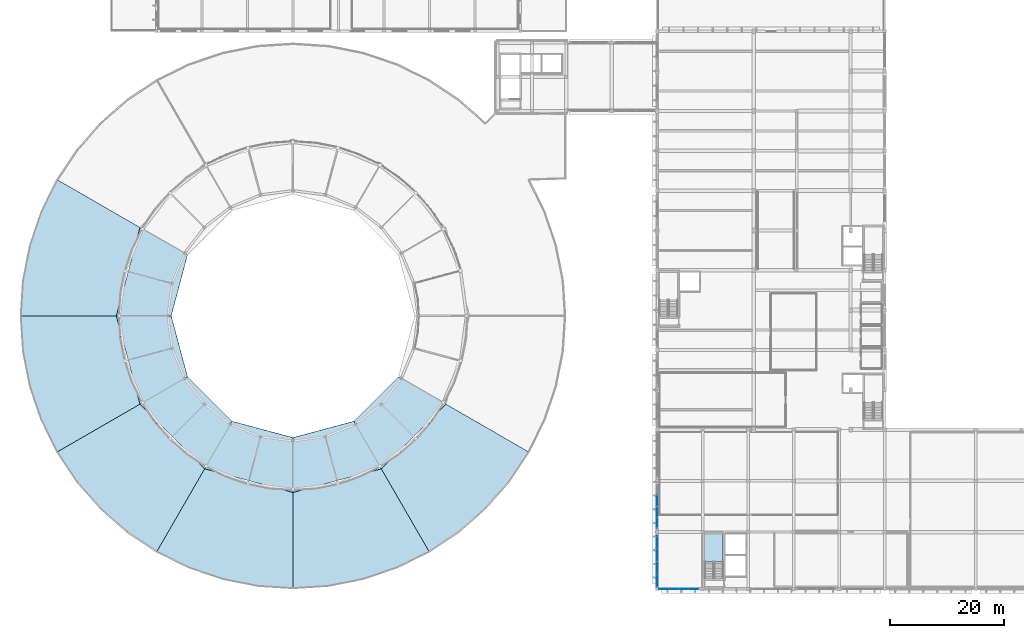
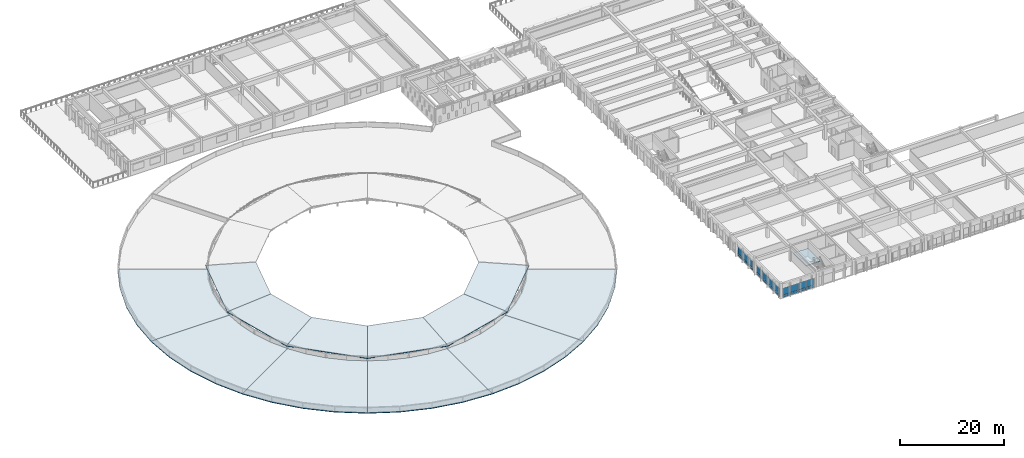
# One storey, part 45 of 77: 22 plates, 13 slabs, 8 elements without a shape of their own.
"""IFC4 building model written with IfcOpenShell, lengths in metres."""

from ifc_helpers import new_model, si_unit, direction, frame, origin, origin_2d, place, context, subcontext, project, spatial, polyline, rectangle, outline, extrude, material, layer, layer_set, type_object, element, aggregate, save


model = new_model("IFC4")

# Units and contexts
model_context = context("Model", 3, precision=1e-05, world=origin(), true_north=direction((0.0, 1.0)))
body_context = subcontext(model_context, "Body", "Model", "MODEL_VIEW")
ifc_project = project(units=[si_unit("LENGTHUNIT", "METRE"), si_unit("AREAUNIT", "SQUARE_METRE"), si_unit("VOLUMEUNIT", "CUBIC_METRE"), si_unit("PLANEANGLEUNIT", "RADIAN"), si_unit("MASSUNIT", "GRAM", prefix="KILO")], contexts=[model_context])

# Site, building, storey
site_placement = place(None, origin())
site = spatial("IfcSite", under=ifc_project, at=site_placement, CompositionType="ELEMENT")
building_placement = place(site_placement, origin())
building = spatial("IfcBuilding", under=site, at=building_placement, Name="Larkveld Mobility Hub", CompositionType="ELEMENT")
storey_placement = place(building_placement, frame((0.0, 0.0, 12.0)))
storey = spatial("IfcBuildingStorey", under=building, at=storey_placement, Name="L03", CompositionType="ELEMENT", Elevation=12.0)

# Curtain wall, plates
ifc_material_1 = material(Name="Anodised aluminium 6063-T6", Category="aluminium")
curtain_wall_type_1 = type_object("IfcCurtainWallType", Name="CW-SYS-04", PredefinedType="NOTDEFINED", material=ifc_material_1)
curtain_wall_1_placement = place(storey_placement, origin())
curtain_wall_1 = element("IfcCurtainWall", 1, at=curtain_wall_1_placement, inside=storey, type_object=curtain_wall_type_1, Name="Public Passage East Service Facade L03 CW-124", PredefinedType="NOTDEFINED")
ifc_material_2 = material(Name="Low-E laminated solar-control double glazing", Category="glass")
ifc_layer_1 = layer(ifc_material_2, 0.028076171875, Name="Low-E laminated solar-control double glazing", Category="glass")
ifc_layer_set_1 = layer_set([ifc_layer_1], Name="Low-E laminated solar-control double glazing")
plate_type_1 = type_object("IfcPlateType", Name="CW-PNL-GL01", PredefinedType="CURTAIN_PANEL", material=ifc_layer_set_1)
plate_1_placement = place(storey_placement, frame((112.0, 8.157958984375, 0.552001953125), z_axis=(0.0, 0.0, 1.0), x_axis=(0.0, -1.0, 0.0)))
plate_1 = element("IfcPlate", 2, at=plate_1_placement, type_object=plate_type_1, Name="CW04 panel 1", PredefinedType="CURTAIN_PANEL", context=body_context, shape_type="SweptSolid", body=[
    extrude(rectangle(XDim=2.2041015625, YDim=0.028076171875, at=origin_2d()), origin(), (0.0, 0.0, 1.0), 1.6259765625),
])
plate_2_placement = place(storey_placement, frame((112.0, 5.93408203125, 0.552001953125), z_axis=(0.0, 0.0, 1.0), x_axis=(0.0, -1.0, 0.0)))
plate_2 = element("IfcPlate", 3, at=plate_2_placement, type_object=plate_type_1, Name="CW04 panel 2", PredefinedType="CURTAIN_PANEL", context=body_context, shape_type="SweptSolid", body=[
    extrude(rectangle(XDim=2.22412109375, YDim=0.028076171875, at=origin_2d()), origin(), (0.0, 0.0, 1.0), 1.6259765625),
])
plate_3_placement = place(storey_placement, frame((112.0, 3.700927734375, 0.552001953125), z_axis=(0.0, 0.0, 1.0), x_axis=(0.0, -1.0, 0.0)))
plate_3 = element("IfcPlate", 4, at=plate_3_placement, type_object=plate_type_1, Name="CW04 panel 3", PredefinedType="CURTAIN_PANEL", context=body_context, shape_type="SweptSolid", body=[
    extrude(rectangle(XDim=2.22412109375, YDim=0.028076171875, at=origin_2d()), origin(), (0.0, 0.0, 1.0), 1.6259765625),
])
plate_4_placement = place(storey_placement, frame((112.0, 1.47705078125, 0.552001953125), z_axis=(0.0, 0.0, 1.0), x_axis=(0.0, -1.0, 0.0)))
plate_4 = element("IfcPlate", 5, at=plate_4_placement, type_object=plate_type_1, Name="CW04 panel 4", PredefinedType="CURTAIN_PANEL", context=body_context, shape_type="SweptSolid", body=[
    extrude(rectangle(XDim=2.2041015625, YDim=0.028076171875, at=origin_2d()), origin(), (0.0, 0.0, 1.0), 1.6259765625),
])

curtain_wall_type_2 = type_object("IfcCurtainWallType", Name="CW-SYS-05", PredefinedType="NOTDEFINED", material=ifc_material_1)
curtain_wall_2_placement = place(storey_placement, origin())
curtain_wall_2 = element("IfcCurtainWall", 6, at=curtain_wall_2_placement, inside=storey, type_object=curtain_wall_type_2, Name="Service Centre South Curtain Wall L03 CW-113", PredefinedType="NOTDEFINED")
ifc_material_3 = material(Name="Acoustic solar-control laminated double glazing", Category="glass")
ifc_layer_2 = layer(ifc_material_3, 0.031982421875, Name="Acoustic solar-control laminated double glazing", Category="glass")
ifc_layer_set_2 = layer_set([ifc_layer_2], Name="Acoustic solar-control laminated double glazing")
plate_type_2 = type_object("IfcPlateType", Name="CW-PNL-GL02", PredefinedType="CURTAIN_PANEL", material=ifc_layer_set_2)
plate_5_placement = place(storey_placement, frame((113.22705078125, 0.0, 0.552001953125), z_axis=(0.0, 0.0, 1.0), x_axis=(1.0, 0.0, 0.0)))
plate_5 = element("IfcPlate", 7, at=plate_5_placement, type_object=plate_type_2, Name="CW05 panel 1", PredefinedType="CURTAIN_PANEL", context=body_context, shape_type="SweptSolid", body=[
    extrude(rectangle(XDim=1.7041015625, YDim=0.031982421875, at=origin_2d()), origin(), (0.0, 0.0, 1.0), 1.6259765625),
])
plate_6_placement = place(storey_placement, frame((114.950927734375, 0.0, 0.552001953125), z_axis=(0.0, 0.0, 1.0), x_axis=(1.0, 0.0, 0.0)))
plate_6 = element("IfcPlate", 8, at=plate_6_placement, type_object=plate_type_2, Name="CW05 panel 2", PredefinedType="CURTAIN_PANEL", context=body_context, shape_type="SweptSolid", body=[
    extrude(rectangle(XDim=1.72412109375, YDim=0.031982421875, at=origin_2d()), origin(), (0.0, 0.0, 1.0), 1.6259765625),
])
plate_7_placement = place(storey_placement, frame((116.68408203125, 0.0, 0.552001953125), z_axis=(0.0, 0.0, 1.0), x_axis=(1.0, 0.0, 0.0)))
plate_7 = element("IfcPlate", 9, at=plate_7_placement, type_object=plate_type_2, Name="CW05 panel 3", PredefinedType="CURTAIN_PANEL", context=body_context, shape_type="SweptSolid", body=[
    extrude(rectangle(XDim=1.72412109375, YDim=0.031982421875, at=origin_2d()), origin(), (0.0, 0.0, 1.0), 1.6259765625),
])
plate_8_placement = place(storey_placement, frame((118.407958984375, 0.0, 0.552001953125), z_axis=(0.0, 0.0, 1.0), x_axis=(1.0, 0.0, 0.0)))
plate_8 = element("IfcPlate", 10, at=plate_8_placement, type_object=plate_type_2, Name="CW05 panel 4", PredefinedType="CURTAIN_PANEL", context=body_context, shape_type="SweptSolid", body=[
    extrude(rectangle(XDim=1.7041015625, YDim=0.031982421875, at=origin_2d()), origin(), (0.0, 0.0, 1.0), 1.6259765625),
])

curtain_wall_type_3 = type_object("IfcCurtainWallType", Name="CW-SYS-03", PredefinedType="NOTDEFINED", material=ifc_material_1)
curtain_wall_3_placement = place(storey_placement, origin())
curtain_wall_3 = element("IfcCurtainWall", 11, at=curtain_wall_3_placement, inside=storey, type_object=curtain_wall_type_3, Name="Public Passage East Service Facade L03 CW-123", PredefinedType="NOTDEFINED")
ifc_material_4 = material(Name="Tinted safety double glazing", Category="glass")
ifc_layer_3 = layer(ifc_material_4, 0.035888671875, Name="Tinted safety double glazing", Category="glass")
ifc_layer_set_3 = layer_set([ifc_layer_3], Name="Tinted safety double glazing")
plate_type_3 = type_object("IfcPlateType", Name="CW-PNL-GL03", PredefinedType="CURTAIN_PANEL", material=ifc_layer_set_3)
plate_9_placement = place(storey_placement, frame((112.0, 15.447021484375, 0.552001953125), z_axis=(0.0, 0.0, 1.0), x_axis=(0.0, -1.0, 0.0)))
plate_9 = element("IfcPlate", 12, at=plate_9_placement, type_object=plate_type_3, Name="CW03 panel 2", PredefinedType="CURTAIN_PANEL", context=body_context, shape_type="SweptSolid", body=[
    extrude(rectangle(XDim=1.883056640625, YDim=0.035888671875, at=origin_2d()), origin(), (0.0, 0.0, 1.0), 1.6259765625),
])
plate_10_placement = place(storey_placement, frame((112.0, 13.552978515625, 0.552001953125), z_axis=(0.0, 0.0, 1.0), x_axis=(0.0, -1.0, 0.0)))
plate_10 = element("IfcPlate", 13, at=plate_10_placement, type_object=plate_type_3, Name="CW03 panel 3", PredefinedType="CURTAIN_PANEL", context=body_context, shape_type="SweptSolid", body=[
    extrude(rectangle(XDim=1.883056640625, YDim=0.035888671875, at=origin_2d()), origin(), (0.0, 0.0, 1.0), 1.6259765625),
])
plate_11_placement = place(storey_placement, frame((112.0, 11.6708984375, 0.552001953125), z_axis=(0.0, 0.0, 1.0), x_axis=(0.0, -1.0, 0.0)))
plate_11 = element("IfcPlate", 14, at=plate_11_placement, type_object=plate_type_3, Name="CW03 panel 4", PredefinedType="CURTAIN_PANEL", context=body_context, shape_type="SweptSolid", body=[
    extrude(rectangle(XDim=1.863037109375, YDim=0.035888671875, at=origin_2d()), origin(), (0.0, 0.0, 1.0), 1.6259765625),
])

# Plate
ifc_material_5 = material(Name="Insulated fluoropolymer aluminium spandrel", Category="aluminium")
ifc_layer_4 = layer(ifc_material_5, 0.06494140625, Name="Insulated fluoropolymer aluminium spandrel", Category="aluminium")
ifc_layer_set_4 = layer_set([ifc_layer_4], Name="Insulated fluoropolymer aluminium spandrel")
plate_type_4 = type_object("IfcPlateType", Name="CW-PNL-SP01", PredefinedType="CURTAIN_PANEL", material=ifc_layer_set_4)
plate_12_placement = place(storey_placement, frame((113.22705078125, 0.0, 0.0), z_axis=(0.0, 0.0, 1.0), x_axis=(1.0, 0.0, 0.0)))
plate_12 = element("IfcPlate", 15, at=plate_12_placement, type_object=plate_type_4, Name="CW05 spandrel 1", PredefinedType="CURTAIN_PANEL", context=body_context, shape_type="SweptSolid", body=[
    extrude(rectangle(XDim=1.7041015625, YDim=0.06494140625, at=origin_2d()), origin(), (0.0, 0.0, 1.0), 0.5400390625),
])

plate_13_placement = place(storey_placement, frame((114.950927734375, 0.0, 0.0), z_axis=(0.0, 0.0, 1.0), x_axis=(1.0, 0.0, 0.0)))
plate_13 = element("IfcPlate", 16, at=plate_13_placement, type_object=plate_type_4, Name="CW05 spandrel 2", PredefinedType="CURTAIN_PANEL", context=body_context, shape_type="SweptSolid", body=[
    extrude(rectangle(XDim=1.72412109375, YDim=0.06494140625, at=origin_2d()), origin(), (0.0, 0.0, 1.0), 0.5400390625),
])

plate_14_placement = place(storey_placement, frame((116.68408203125, 0.0, 0.0), z_axis=(0.0, 0.0, 1.0), x_axis=(1.0, 0.0, 0.0)))
plate_14 = element("IfcPlate", 17, at=plate_14_placement, type_object=plate_type_4, Name="CW05 spandrel 3", PredefinedType="CURTAIN_PANEL", context=body_context, shape_type="SweptSolid", body=[
    extrude(rectangle(XDim=1.72412109375, YDim=0.06494140625, at=origin_2d()), origin(), (0.0, 0.0, 1.0), 0.5400390625),
])

plate_15_placement = place(storey_placement, frame((118.407958984375, 0.0, 0.0), z_axis=(0.0, 0.0, 1.0), x_axis=(1.0, 0.0, 0.0)))
plate_15 = element("IfcPlate", 18, at=plate_15_placement, type_object=plate_type_4, Name="CW05 spandrel 4", PredefinedType="CURTAIN_PANEL", context=body_context, shape_type="SweptSolid", body=[
    extrude(rectangle(XDim=1.7041015625, YDim=0.06494140625, at=origin_2d()), origin(), (0.0, 0.0, 1.0), 0.5400390625),
])

aggregate(curtain_wall_2, [plate_12, plate_5, plate_13, plate_6, plate_14, plate_7, plate_15, plate_8])

plate_16_placement = place(storey_placement, frame((112.0, 15.447021484375, 0.0), z_axis=(0.0, 0.0, 1.0), x_axis=(0.0, -1.0, 0.0)))
plate_16 = element("IfcPlate", 19, at=plate_16_placement, type_object=plate_type_4, Name="CW03 spandrel 2", PredefinedType="CURTAIN_PANEL", context=body_context, shape_type="SweptSolid", body=[
    extrude(rectangle(XDim=1.883056640625, YDim=0.06494140625, at=origin_2d()), origin(), (0.0, 0.0, 1.0), 0.5400390625),
])

plate_17_placement = place(storey_placement, frame((112.0, 13.552978515625, 0.0), z_axis=(0.0, 0.0, 1.0), x_axis=(0.0, -1.0, 0.0)))
plate_17 = element("IfcPlate", 20, at=plate_17_placement, type_object=plate_type_4, Name="CW03 spandrel 3", PredefinedType="CURTAIN_PANEL", context=body_context, shape_type="SweptSolid", body=[
    extrude(rectangle(XDim=1.883056640625, YDim=0.06494140625, at=origin_2d()), origin(), (0.0, 0.0, 1.0), 0.5400390625),
])

plate_18_placement = place(storey_placement, frame((112.0, 11.6708984375, 0.0), z_axis=(0.0, 0.0, 1.0), x_axis=(0.0, -1.0, 0.0)))
plate_18 = element("IfcPlate", 21, at=plate_18_placement, type_object=plate_type_4, Name="CW03 spandrel 4", PredefinedType="CURTAIN_PANEL", context=body_context, shape_type="SweptSolid", body=[
    extrude(rectangle(XDim=1.863037109375, YDim=0.06494140625, at=origin_2d()), origin(), (0.0, 0.0, 1.0), 0.5400390625),
])

aggregate(curtain_wall_3, [plate_16, plate_9, plate_17, plate_10, plate_18, plate_11])

ifc_material_6 = material(Name="Insulated terracotta-toned aluminium spandrel", Category="masonry")
ifc_layer_5 = layer(ifc_material_6, 0.080078125, Name="Insulated terracotta-toned aluminium spandrel", Category="masonry")
ifc_layer_set_5 = layer_set([ifc_layer_5], Name="Insulated terracotta-toned aluminium spandrel")
plate_type_5 = type_object("IfcPlateType", Name="CW-PNL-SP02", PredefinedType="CURTAIN_PANEL", material=ifc_layer_set_5)
plate_19_placement = place(storey_placement, frame((112.0, 8.157958984375, 0.0), z_axis=(0.0, 0.0, 1.0), x_axis=(0.0, -1.0, 0.0)))
plate_19 = element("IfcPlate", 22, at=plate_19_placement, type_object=plate_type_5, Name="CW04 spandrel 1", PredefinedType="CURTAIN_PANEL", context=body_context, shape_type="SweptSolid", body=[
    extrude(rectangle(XDim=2.2041015625, YDim=0.080078125, at=origin_2d()), origin(), (0.0, 0.0, 1.0), 0.5400390625),
])

plate_20_placement = place(storey_placement, frame((112.0, 5.93408203125, 0.0), z_axis=(0.0, 0.0, 1.0), x_axis=(0.0, -1.0, 0.0)))
plate_20 = element("IfcPlate", 23, at=plate_20_placement, type_object=plate_type_5, Name="CW04 spandrel 2", PredefinedType="CURTAIN_PANEL", context=body_context, shape_type="SweptSolid", body=[
    extrude(rectangle(XDim=2.22412109375, YDim=0.080078125, at=origin_2d()), origin(), (0.0, 0.0, 1.0), 0.5400390625),
])

plate_21_placement = place(storey_placement, frame((112.0, 3.700927734375, 0.0), z_axis=(0.0, 0.0, 1.0), x_axis=(0.0, -1.0, 0.0)))
plate_21 = element("IfcPlate", 24, at=plate_21_placement, type_object=plate_type_5, Name="CW04 spandrel 3", PredefinedType="CURTAIN_PANEL", context=body_context, shape_type="SweptSolid", body=[
    extrude(rectangle(XDim=2.22412109375, YDim=0.080078125, at=origin_2d()), origin(), (0.0, 0.0, 1.0), 0.5400390625),
])

plate_22_placement = place(storey_placement, frame((112.0, 1.47705078125, 0.0), z_axis=(0.0, 0.0, 1.0), x_axis=(0.0, -1.0, 0.0)))
plate_22 = element("IfcPlate", 25, at=plate_22_placement, type_object=plate_type_5, Name="CW04 spandrel 4", PredefinedType="CURTAIN_PANEL", context=body_context, shape_type="SweptSolid", body=[
    extrude(rectangle(XDim=2.2041015625, YDim=0.080078125, at=origin_2d()), origin(), (0.0, 0.0, 1.0), 0.5400390625),
])

aggregate(curtain_wall_1, [plate_19, plate_1, plate_20, plate_2, plate_21, plate_3, plate_22, plate_4])

# Stair, slab
ifc_material_7 = material(Name="Concrete C40/50", Category="concrete")
stair_type = type_object("IfcStairType", Name="ST-HT-04", PredefinedType="HALF_TURN_STAIR", material=ifc_material_7)
stair_placement = place(storey_placement, origin())
stair = element("IfcStair", 26, at=stair_placement, inside=storey, type_object=stair_type, Name="L03 Protected Escape Stair ST4", PredefinedType="HALF_TURN_STAIR")
ifc_layer_6 = layer(ifc_material_7, 0.205078125, Name="Concrete C40/50", Category="concrete")
ifc_layer_set_6 = layer_set([ifc_layer_6], Name="Concrete C40/50")
slab_type_1 = type_object("IfcSlabType", Name="SL-LND-04", PredefinedType="LANDING", material=ifc_layer_set_6)
slab_1_placement = place(storey_placement, frame((0.0, 0.0, 1.594970703125)))
slab_1 = element("IfcSlab", 27, at=slab_1_placement, type_object=slab_type_1, Name="ST4 landing 1", PredefinedType="LANDING", context=body_context, shape_type="SweptSolid", body=[
    extrude(outline(polyline([(123.60009765625, 4.75), (123.60009765625, 9.64990234375), (120.35009765625, 9.64990234375), (120.35009765625, 4.75), (123.60009765625, 4.75)])), origin(), (0.0, 0.0, 1.0), 0.205078125),
])
aggregate(stair, [slab_1])

# Roof, slab
ifc_material_8 = material(Name="Precast concrete C50/60", Category="concrete")
roof_type = type_object("IfcRoofType", Name="ROF-HIP-01", PredefinedType="HIP_ROOF", material=ifc_material_8)
roof_1_placement = place(storey_placement, origin())
roof_1 = element("IfcRoof", 28, at=roof_1_placement, inside=storey, type_object=roof_type, Name="Central Drum Clerestory Canopy Sector 3", PredefinedType="HIP_ROOF")
ifc_layer_7 = layer(ifc_material_8, 0.155029296875, Name="Precast concrete C50/60", Category="concrete")
ifc_layer_set_7 = layer_set([ifc_layer_7], Name="Precast concrete C50/60")
slab_type_2 = type_object("IfcSlabType", Name="SL-RF-CAN155", PredefinedType="ROOF", material=ifc_layer_set_7)
slab_2_placement = place(storey_placement, frame((21.110107421875, 63.52490234375, 0.949951171875), z_axis=(-0.082603101911, 0.022133973973, 0.996336697483), x_axis=(-0.258834716338, -0.965921627057, -8.69483e-07)))
slab_2 = element("IfcSlab", 29, at=slab_2_placement, type_object=slab_type_2, Name="Central Drum Sloped Clerestory Canopy Slab 3.2", PredefinedType="ROOF", context=body_context, shape_type="SweptSolid", body=[
    extrude(outline(polyline([(0.0, 0.0), (16.07263179467481, 8.881784197001252e-16), (13.574838171138142, 9.355556226719084), (2.497459454583548, 9.35528018293541), (0.0, 0.0)])), origin(), (0.0, 0.0, -1.0), 0.155029296875),
])
aggregate(roof_1, [slab_2])

# Roof, slabs
roof_2_placement = place(storey_placement, origin())
roof_2 = element("IfcRoof", 30, at=roof_2_placement, inside=storey, type_object=roof_type, Name="Central Drum Clerestory Canopy Sector 4", PredefinedType="HIP_ROOF")
slab_3_placement = place(storey_placement, frame((16.949951171875, 48.0, 0.949951171875), z_axis=(-0.082603101911, -0.022133973973, 0.996336697483), x_axis=(0.258834716338, -0.965921627057, 8.69483e-07)))
slab_3 = element("IfcSlab", 31, at=slab_3_placement, type_object=slab_type_2, Name="Central Drum Sloped Clerestory Canopy Slab 4.1", PredefinedType="ROOF", context=body_context, shape_type="SweptSolid", body=[
    extrude(outline(polyline([(0.0, 0.0), (16.07263179467481, -8.881784197001252e-16), (13.57517234009126, 9.355280182935408), (2.4977936235366682, 9.355556226719083), (0.0, 0.0)])), origin(), (0.0, 0.0, -1.0), 0.155029296875),
])
slab_4_placement = place(storey_placement, frame((21.110107421875, 32.47509765625, 0.949951171875), z_axis=(-0.060470708845, -0.060470708845, 0.99633658306), x_axis=(0.707106781187, -0.707106781187, 0.0)))
slab_4 = element("IfcSlab", 32, at=slab_4_placement, type_object=slab_type_2, Name="Central Drum Sloped Clerestory Canopy Slab 4.2", PredefinedType="ROOF", context=body_context, shape_type="SweptSolid", body=[
    extrude(outline(polyline([(0.0, 0.0), (16.072523325690906, 0.0), (13.575034604151409, 9.355272369872104), (2.497488721539498, 9.355272369872104), (0.0, 0.0)])), origin(), (0.0, 0.0, -1.0), 0.155029296875),
])
aggregate(roof_2, [slab_3, slab_4])

roof_3_placement = place(storey_placement, origin())
roof_3 = element("IfcRoof", 33, at=roof_3_placement, inside=storey, type_object=roof_type, Name="Central Drum Clerestory Canopy Sector 5", PredefinedType="HIP_ROOF")
slab_5_placement = place(storey_placement, frame((32.47509765625, 21.110107421875, 0.949951171875), z_axis=(-0.022133973973, -0.082603101911, 0.996336697483), x_axis=(0.965921627057, -0.258834716338, -8.69483e-07)))
slab_5 = element("IfcSlab", 34, at=slab_5_placement, type_object=slab_type_2, Name="Central Drum Sloped Clerestory Canopy Slab 5.1", PredefinedType="ROOF", context=body_context, shape_type="SweptSolid", body=[
    extrude(outline(polyline([(0.0, 0.0), (16.07263179467481, 8.881784197001252e-16), (13.574838171138142, 9.355556226719084), (2.497459454583548, 9.35528018293541), (0.0, 0.0)])), origin(), (0.0, 0.0, -1.0), 0.155029296875),
])
slab_6_placement = place(storey_placement, frame((48.0, 16.949951171875, 0.949951171875), z_axis=(0.022133973973, -0.082603101911, 0.996336697483), x_axis=(0.965921627057, 0.258834716338, 8.69483e-07)))
slab_6 = element("IfcSlab", 35, at=slab_6_placement, type_object=slab_type_2, Name="Central Drum Sloped Clerestory Canopy Slab 5.2", PredefinedType="ROOF", context=body_context, shape_type="SweptSolid", body=[
    extrude(outline(polyline([(0.0, 0.0), (16.07263179467481, -8.881784197001252e-16), (13.57517234009126, 9.355280182935408), (2.4977936235366682, 9.355556226719083), (0.0, 0.0)])), origin(), (0.0, 0.0, -1.0), 0.155029296875),
])
aggregate(roof_3, [slab_5, slab_6])

# Roof, slab
roof_4_placement = place(storey_placement, origin())
roof_4 = element("IfcRoof", 36, at=roof_4_placement, inside=storey, type_object=roof_type, Name="Central Drum Clerestory Canopy Sector 6", PredefinedType="HIP_ROOF")
slab_7_placement = place(storey_placement, frame((63.52490234375, 21.110107421875, 0.949951171875), z_axis=(0.060470708845, -0.060470708845, 0.99633658306), x_axis=(0.707106781187, 0.707106781187, 0.0)))
slab_7 = element("IfcSlab", 37, at=slab_7_placement, type_object=slab_type_2, Name="Central Drum Sloped Clerestory Canopy Slab 6.1", PredefinedType="ROOF", context=body_context, shape_type="SweptSolid", body=[
    extrude(outline(polyline([(0.0, 0.0), (16.072523325690906, 0.0), (13.575034604151409, 9.355272369872104), (2.497488721539498, 9.355272369872104), (0.0, 0.0)])), origin(), (0.0, 0.0, -1.0), 0.155029296875),
])
aggregate(roof_4, [slab_7])

# Slabs
ifc_layer_8 = layer(ifc_material_7, 0.219970703125, Name="Concrete C40/50", Category="concrete")
ifc_layer_set_8 = layer_set([ifc_layer_8], Name="Concrete C40/50")
slab_type_3 = type_object("IfcSlabType", Name="SL-RF-FLT220", PredefinedType="ROOF", material=ifc_layer_set_8)
slab_8_placement = place(storey_placement, frame((0.0, 0.0, -0.219970703125)))
element("IfcSlab", 38, at=slab_8_placement, inside=storey, type_object=slab_type_3, Name="Drum Flat Roof Slab L03-078", PredefinedType="ROOF", context=body_context, shape_type="SweptSolid", body=[
    extrude(outline(polyline([(6.5, 71.9599609375), (3.72802734375, 66.337890625), (1.712890625, 60.403076171875), (0.489990234375, 54.2548828125), (0.080078125, 48.0), (17.5, 48.0), (17.760986328125, 51.98095703125), (18.5390625, 55.89404296875), (19.822021484375, 59.672119140625), (21.5859375, 63.25), (6.5, 71.9599609375)])), origin(), (0.0, 0.0, 1.0), 0.219970703125),
])
slab_9_placement = place(storey_placement, frame((0.0, 0.0, -0.219970703125)))
element("IfcSlab", 39, at=slab_9_placement, inside=storey, type_object=slab_type_3, Name="Drum Flat Roof Slab L03-079", PredefinedType="ROOF", context=body_context, shape_type="SweptSolid", body=[
    extrude(outline(polyline([(0.080078125, 48.0), (0.489990234375, 41.7451171875), (1.712890625, 35.596923828125), (3.72802734375, 29.662109375), (6.5, 24.0400390625), (21.5859375, 32.75), (19.822021484375, 36.327880859375), (18.5390625, 40.10595703125), (17.760986328125, 44.01904296875), (17.5, 48.0), (0.080078125, 48.0)])), origin(), (0.0, 0.0, 1.0), 0.219970703125),
])
slab_10_placement = place(storey_placement, frame((0.0, 0.0, -0.219970703125)))
element("IfcSlab", 40, at=slab_10_placement, inside=storey, type_object=slab_type_3, Name="Drum Flat Roof Slab L03-080", PredefinedType="ROOF", context=body_context, shape_type="SweptSolid", body=[
    extrude(outline(polyline([(6.5, 24.0400390625), (9.98291015625, 18.827880859375), (14.114990234375, 14.114990234375), (18.827880859375, 9.98291015625), (24.0400390625, 6.5), (32.75, 21.5859375), (29.43310546875, 23.802978515625), (26.43310546875, 26.43310546875), (23.802978515625, 29.43310546875), (21.5859375, 32.75), (6.5, 24.0400390625)])), origin(), (0.0, 0.0, 1.0), 0.219970703125),
])
slab_11_placement = place(storey_placement, frame((0.0, 0.0, -0.219970703125)))
element("IfcSlab", 41, at=slab_11_placement, inside=storey, type_object=slab_type_3, Name="Drum Flat Roof Slab L03-081", PredefinedType="ROOF", context=body_context, shape_type="SweptSolid", body=[
    extrude(outline(polyline([(24.0400390625, 6.5), (29.662109375, 3.72802734375), (35.596923828125, 1.712890625), (41.7451171875, 0.489990234375), (48.0, 0.080078125), (48.0, 17.5), (44.01904296875, 17.760986328125), (40.10595703125, 18.5390625), (36.327880859375, 19.822021484375), (32.75, 21.5859375), (24.0400390625, 6.5)])), origin(), (0.0, 0.0, 1.0), 0.219970703125),
])
slab_12_placement = place(storey_placement, frame((0.0, 0.0, -0.219970703125)))
element("IfcSlab", 42, at=slab_12_placement, inside=storey, type_object=slab_type_3, Name="Drum Flat Roof Slab L03-082", PredefinedType="ROOF", context=body_context, shape_type="SweptSolid", body=[
    extrude(outline(polyline([(48.0, 0.080078125), (54.2548828125, 0.489990234375), (60.403076171875, 1.712890625), (66.337890625, 3.72802734375), (71.9599609375, 6.5), (63.25, 21.5859375), (59.672119140625, 19.822021484375), (55.89404296875, 18.5390625), (51.98095703125, 17.760986328125), (48.0, 17.5), (48.0, 0.080078125)])), origin(), (0.0, 0.0, 1.0), 0.219970703125),
])
slab_13_placement = place(storey_placement, frame((0.0, 0.0, -0.219970703125)))
element("IfcSlab", 43, at=slab_13_placement, inside=storey, type_object=slab_type_3, Name="Drum Flat Roof Slab L03-083", PredefinedType="ROOF", context=body_context, shape_type="SweptSolid", body=[
    extrude(outline(polyline([(71.9599609375, 6.5), (77.172119140625, 9.98291015625), (81.885009765625, 14.114990234375), (86.01708984375, 18.827880859375), (89.5, 24.0400390625), (74.4140625, 32.75), (72.197021484375, 29.43310546875), (69.56689453125, 26.43310546875), (66.56689453125, 23.802978515625), (63.25, 21.5859375), (71.9599609375, 6.5)])), origin(), (0.0, 0.0, 1.0), 0.219970703125),
])

save(model, "model.ifc")
